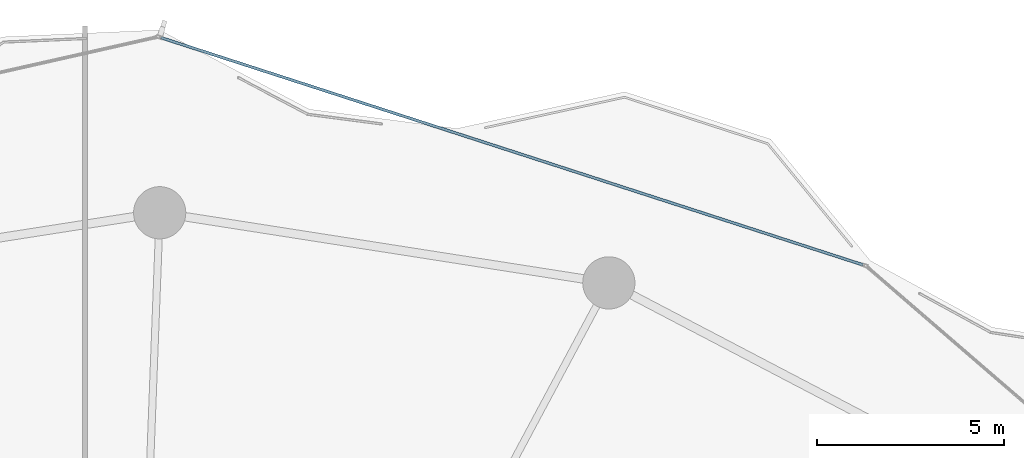
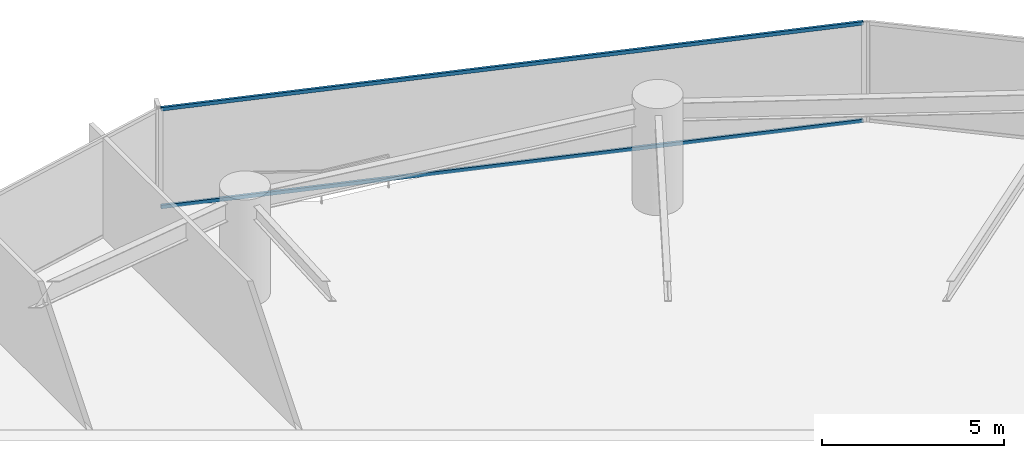
# One storey, part 22 of 34: 2 members, 1 element without a shape of its own.
"""IFC4 building model written with IfcOpenShell, lengths in metres."""

from ifc_helpers import new_model, si_unit, direction, frame, origin, origin_2d, place, context, subcontext, project, spatial, hollow_rectangle, extrude, material, layer, layer_set, material_profile, profile_set, type_object, element, aggregate, save


model = new_model("IFC4")

# Units and contexts
model_context = context("Model", 3, precision=1e-05, world=origin(), true_north=direction((0.0, 1.0)))
body_context = subcontext(model_context, "Body", "Model", "MODEL_VIEW")
ifc_project = project(units=[si_unit("LENGTHUNIT", "METRE"), si_unit("AREAUNIT", "SQUARE_METRE"), si_unit("VOLUMEUNIT", "CUBIC_METRE"), si_unit("PLANEANGLEUNIT", "RADIAN"), si_unit("MASSUNIT", "GRAM", prefix="KILO")], contexts=[model_context])

# Site, building, storey
site_placement = place(None, origin())
site = spatial("IfcSite", under=ifc_project, at=site_placement, CompositionType="ELEMENT")
building_placement = place(site_placement, origin())
building = spatial("IfcBuilding", under=site, at=building_placement, Name="Kazevale Care Tower and Concert Hall", CompositionType="ELEMENT")
storey_placement = place(building_placement, frame((0.0, 0.0, 67.199951171875)))
storey = spatial("IfcBuildingStorey", under=building, at=storey_placement, Name="L17", CompositionType="ELEMENT", Elevation=67.199951171875)

# Curtain wall, members
ifc_material_1 = material(Name="Aluminium 6063-T6 and Low-E Glass", Category="aluminium")
ifc_layer = layer(ifc_material_1, 0.179931640625)
ifc_layer_set = layer_set([ifc_layer], Name="Aluminium 6063-T6 and Low-E Glass")
curtain_wall_type = type_object("IfcCurtainWallType", Name="Convex Checkerboard Finned Curtain Wall CW-2", PredefinedType="NOTDEFINED", material=ifc_layer_set)
curtain_wall_placement = place(storey_placement, origin())
curtain_wall = element("IfcCurtainWall", 1, at=curtain_wall_placement, inside=storey, type_object=curtain_wall_type, Name="cw:L17:f16", PredefinedType="NOTDEFINED")
ifc_material_2 = material(Name="Aluminium 6063-T6", Category="aluminium")
ifc_material_profile = material_profile(ifc_material_2, hollow_rectangle(XDim=0.074951171875, YDim=0.1201171875, WallThickness=0.00390625, at=origin_2d()), Name="ALU75x120x4")
ifc_profile_set = profile_set([ifc_material_profile], Name="Aluminium 6063-T6")
member_type = type_object("IfcMemberType", Name="CW-2 Transom ALU75x120x4", PredefinedType="USERDEFINED", material=ifc_profile_set)
member_1_placement = place(storey_placement, frame((45.03515625, 67.34326171875, 0.03759765625), z_axis=(0.951413042648, -0.3079175576, 0.0), x_axis=(0.3079175576, 0.951413042648, 0.0)))
member_1 = element("IfcMember", 2, at=member_1_placement, type_object=member_type, Name="CW-2 transom 1.1", ObjectType="TRANSOM", PredefinedType="USERDEFINED", context=body_context, shape_type="SweptSolid", body=[
    extrude(hollow_rectangle(XDim=0.074951171875, YDim=0.1201171875, WallThickness=0.00390625, at=origin_2d()), origin(), (0.0, 0.0, 1.0), 19.77978515625),
])
member_2_placement = place(storey_placement, frame((45.03515625, 67.34326171875, 3.322509765625), z_axis=(0.951413042648, -0.3079175576, 0.0), x_axis=(0.3079175576, 0.951413042648, 0.0)))
member_2 = element("IfcMember", 3, at=member_2_placement, type_object=member_type, Name="CW-2 transom 1.2", ObjectType="TRANSOM", PredefinedType="USERDEFINED", context=body_context, shape_type="SweptSolid", body=[
    extrude(hollow_rectangle(XDim=0.074951171875, YDim=0.1201171875, WallThickness=0.00390625, at=origin_2d()), origin(), (0.0, 0.0, 1.0), 19.77978515625),
])
aggregate(curtain_wall, [member_1, member_2])

save(model, "model.ifc")
